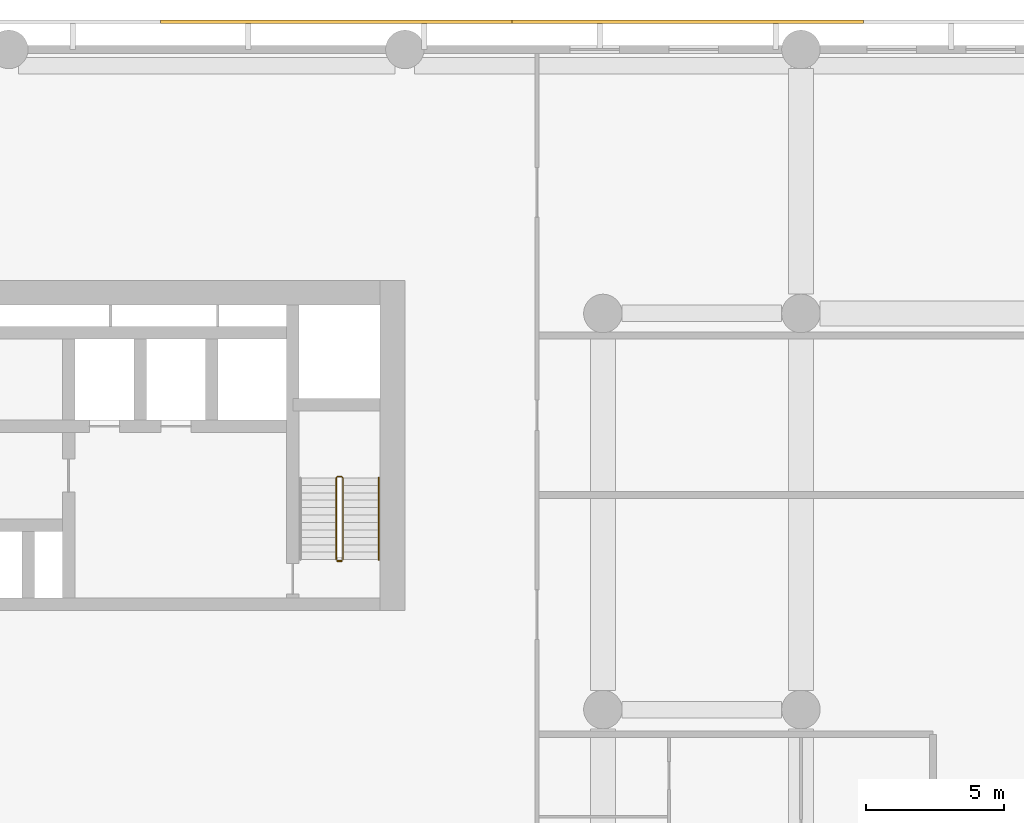
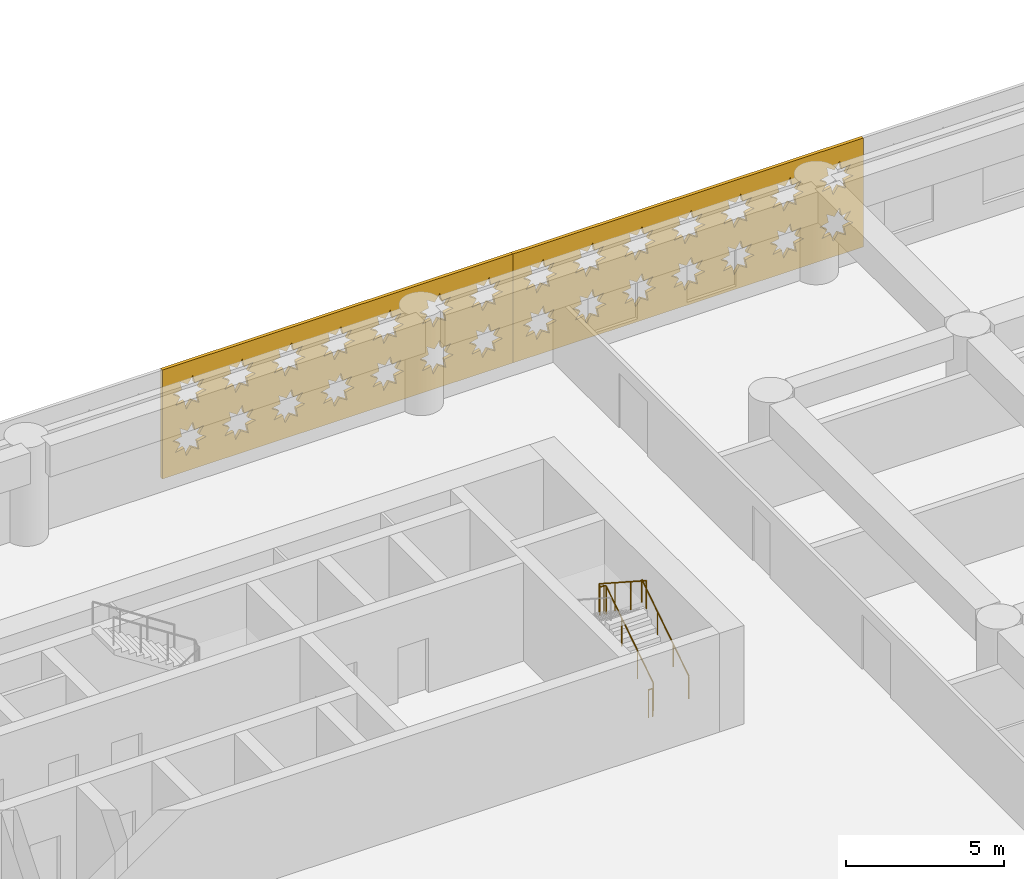
# One storey, part 22 of 23: 3 railings, 2 coverings.
"""IFC4 building model written with IfcOpenShell, lengths in metres."""

from ifc_helpers import new_model, si_unit, direction, frame, origin, origin_2d, place, context, subcontext, project, spatial, polyline, circle, outline, extrude, material, layer, layer_set, type_object, element, save


model = new_model("IFC4")

# Units and contexts
model_context = context("Model", 3, precision=1e-05, world=origin(), true_north=direction((0.0, 1.0)))
body_context = subcontext(model_context, "Body", "Model", "MODEL_VIEW")
ifc_project = project(units=[si_unit("LENGTHUNIT", "METRE"), si_unit("AREAUNIT", "SQUARE_METRE"), si_unit("VOLUMEUNIT", "CUBIC_METRE"), si_unit("PLANEANGLEUNIT", "RADIAN"), si_unit("MASSUNIT", "GRAM", prefix="KILO")], contexts=[model_context])

# Site, building, storey
site_placement = place(None, origin())
site = spatial("IfcSite", under=ifc_project, at=site_placement, CompositionType="ELEMENT")
building_placement = place(site_placement, origin())
building = spatial("IfcBuilding", under=site, at=building_placement, Name="Saffron Iwan Residences", CompositionType="ELEMENT")
storey_placement = place(building_placement, frame((0.0, 0.0, 17.39990234375)))
storey = spatial("IfcBuildingStorey", under=building, at=storey_placement, Name="L03", CompositionType="ELEMENT", Elevation=17.39990234375)

# Coverings
ifc_material_1 = material(Name="Terracotta screen, precast concrete C40/50", Category="masonry")
ifc_layer = layer(ifc_material_1, 0.1201171875)
ifc_layer_set = layer_set([ifc_layer], Name="Terracotta screen, precast concrete C40/50")
covering_type = type_object("IfcCoveringType", Name="PODIUM SCREEN GIRIH", PredefinedType="CLADDING", material=ifc_layer_set)
covering_1_placement = place(storey_placement, frame((88.672607421875, 87.35009765625, -0.39990234375), z_axis=(0.0, 1.0, 0.0), x_axis=(-1.0, 0.0, 0.0)))
element("IfcCovering", 1, at=covering_1_placement, inside=storey, type_object=covering_type, Name="SCREEN girih terracotta L03 F2.1", PredefinedType="CLADDING", context=body_context, shape_type="SweptSolid", body=[
    extrude(outline(polyline([(0.0, 0.0), (12.777587890625, 0.0), (12.777587890625, 4.199951171875), (0.0, 4.199951171875), (0.0, 0.0)]), holes=[polyline([(1.5966796875, 1.321044921875), (1.271484375, 1.388916015625), (1.333251953125, 1.715576171875), (1.05517578125, 1.533447265625), (0.867919921875, 1.80810546875), (0.7998046875, 1.482666015625), (0.47314453125, 1.54443359375), (0.6552734375, 1.266357421875), (0.380615234375, 1.0791015625), (0.7060546875, 1.010986328125), (0.644287109375, 0.6845703125), (0.92236328125, 0.866455078125), (1.109619140625, 0.591796875), (1.177490234375, 0.917236328125), (1.50439453125, 0.85546875), (1.322265625, 1.1337890625), (1.5966796875, 1.321044921875)]), polyline([(1.5966796875, 3.12109375), (1.271484375, 3.18896484375), (1.333251953125, 3.515380859375), (1.05517578125, 3.33349609375), (0.867919921875, 3.608154296875), (0.7998046875, 3.28271484375), (0.47314453125, 3.344482421875), (0.6552734375, 3.06640625), (0.380615234375, 2.87890625), (0.7060546875, 2.81103515625), (0.644287109375, 2.484619140625), (0.92236328125, 2.66650390625), (1.109619140625, 2.391845703125), (1.177490234375, 2.71728515625), (1.50439453125, 2.655517578125), (1.322265625, 2.93359375), (1.5966796875, 3.12109375)]), polyline([(3.396728515625, 1.321044921875), (3.0712890625, 1.388916015625), (3.13330078125, 1.715576171875), (2.85498046875, 1.533447265625), (2.667724609375, 1.80810546875), (2.599853515625, 1.482666015625), (2.273193359375, 1.54443359375), (2.455322265625, 1.266357421875), (2.1806640625, 1.0791015625), (2.506103515625, 1.010986328125), (2.4443359375, 0.6845703125), (2.722412109375, 0.866455078125), (2.90966796875, 0.591796875), (2.9775390625, 0.917236328125), (3.30419921875, 0.85546875), (3.122314453125, 1.1337890625), (3.396728515625, 1.321044921875)]), polyline([(3.396728515625, 3.12109375), (3.0712890625, 3.18896484375), (3.13330078125, 3.515380859375), (2.85498046875, 3.33349609375), (2.667724609375, 3.608154296875), (2.599853515625, 3.28271484375), (2.273193359375, 3.344482421875), (2.455322265625, 3.06640625), (2.1806640625, 2.87890625), (2.506103515625, 2.81103515625), (2.4443359375, 2.484619140625), (2.722412109375, 2.66650390625), (2.90966796875, 2.391845703125), (2.9775390625, 2.71728515625), (3.30419921875, 2.655517578125), (3.122314453125, 2.93359375), (3.396728515625, 3.12109375)]), polyline([(5.19677734375, 1.321044921875), (4.871337890625, 1.388916015625), (4.93310546875, 1.715576171875), (4.655029296875, 1.533447265625), (4.4677734375, 1.80810546875), (4.39990234375, 1.482666015625), (4.0732421875, 1.54443359375), (4.25537109375, 1.266357421875), (3.980712890625, 1.0791015625), (4.30615234375, 1.010986328125), (4.244384765625, 0.6845703125), (4.5224609375, 0.866455078125), (4.709716796875, 0.591796875), (4.777587890625, 0.917236328125), (5.104248046875, 0.85546875), (4.922119140625, 1.1337890625), (5.19677734375, 1.321044921875)]), polyline([(5.19677734375, 3.12109375), (4.871337890625, 3.18896484375), (4.93310546875, 3.515380859375), (4.655029296875, 3.33349609375), (4.4677734375, 3.608154296875), (4.39990234375, 3.28271484375), (4.0732421875, 3.344482421875), (4.25537109375, 3.06640625), (3.980712890625, 2.87890625), (4.30615234375, 2.81103515625), (4.244384765625, 2.484619140625), (4.5224609375, 2.66650390625), (4.709716796875, 2.391845703125), (4.777587890625, 2.71728515625), (5.104248046875, 2.655517578125), (4.922119140625, 2.93359375), (5.19677734375, 3.12109375)]), polyline([(6.996826171875, 1.321044921875), (6.67138671875, 1.388916015625), (6.733154296875, 1.715576171875), (6.455078125, 1.533447265625), (6.267822265625, 1.80810546875), (6.199951171875, 1.482666015625), (5.873291015625, 1.54443359375), (6.055419921875, 1.266357421875), (5.78076171875, 1.0791015625), (6.106201171875, 1.010986328125), (6.044189453125, 0.6845703125), (6.322509765625, 0.866455078125), (6.509765625, 0.591796875), (6.57763671875, 0.917236328125), (6.904296875, 0.85546875), (6.72216796875, 1.1337890625), (6.996826171875, 1.321044921875)]), polyline([(6.996826171875, 3.12109375), (6.67138671875, 3.18896484375), (6.733154296875, 3.515380859375), (6.455078125, 3.33349609375), (6.267822265625, 3.608154296875), (6.199951171875, 3.28271484375), (5.873291015625, 3.344482421875), (6.055419921875, 3.06640625), (5.78076171875, 2.87890625), (6.106201171875, 2.81103515625), (6.044189453125, 2.484619140625), (6.322509765625, 2.66650390625), (6.509765625, 2.391845703125), (6.57763671875, 2.71728515625), (6.904296875, 2.655517578125), (6.72216796875, 2.93359375), (6.996826171875, 3.12109375)]), polyline([(8.796875, 1.321044921875), (8.471435546875, 1.388916015625), (8.533203125, 1.715576171875), (8.255126953125, 1.533447265625), (8.06787109375, 1.80810546875), (8.0, 1.482666015625), (7.673095703125, 1.54443359375), (7.855224609375, 1.266357421875), (7.580810546875, 1.0791015625), (7.906005859375, 1.010986328125), (7.84423828125, 0.6845703125), (8.122314453125, 0.866455078125), (8.309814453125, 0.591796875), (8.377685546875, 0.917236328125), (8.704345703125, 0.85546875), (8.522216796875, 1.1337890625), (8.796875, 1.321044921875)]), polyline([(8.796875, 3.12109375), (8.471435546875, 3.18896484375), (8.533203125, 3.515380859375), (8.255126953125, 3.33349609375), (8.06787109375, 3.608154296875), (8.0, 3.28271484375), (7.673095703125, 3.344482421875), (7.855224609375, 3.06640625), (7.580810546875, 2.87890625), (7.906005859375, 2.81103515625), (7.84423828125, 2.484619140625), (8.122314453125, 2.66650390625), (8.309814453125, 2.391845703125), (8.377685546875, 2.71728515625), (8.704345703125, 2.655517578125), (8.522216796875, 2.93359375), (8.796875, 3.12109375)]), polyline([(10.5966796875, 1.321044921875), (10.271484375, 1.388916015625), (10.333251953125, 1.715576171875), (10.05517578125, 1.533447265625), (9.867919921875, 1.80810546875), (9.7998046875, 1.482666015625), (9.47314453125, 1.54443359375), (9.6552734375, 1.266357421875), (9.380615234375, 1.0791015625), (9.7060546875, 1.010986328125), (9.644287109375, 0.6845703125), (9.92236328125, 0.866455078125), (10.109619140625, 0.591796875), (10.177490234375, 0.917236328125), (10.50439453125, 0.85546875), (10.322265625, 1.1337890625), (10.5966796875, 1.321044921875)]), polyline([(10.5966796875, 3.12109375), (10.271484375, 3.18896484375), (10.333251953125, 3.515380859375), (10.05517578125, 3.33349609375), (9.867919921875, 3.608154296875), (9.7998046875, 3.28271484375), (9.47314453125, 3.344482421875), (9.6552734375, 3.06640625), (9.380615234375, 2.87890625), (9.7060546875, 2.81103515625), (9.644287109375, 2.484619140625), (9.92236328125, 2.66650390625), (10.109619140625, 2.391845703125), (10.177490234375, 2.71728515625), (10.50439453125, 2.655517578125), (10.322265625, 2.93359375), (10.5966796875, 3.12109375)]), polyline([(12.396728515625, 1.321044921875), (12.0712890625, 1.388916015625), (12.13330078125, 1.715576171875), (11.85498046875, 1.533447265625), (11.667724609375, 1.80810546875), (11.599853515625, 1.482666015625), (11.273193359375, 1.54443359375), (11.455322265625, 1.266357421875), (11.1806640625, 1.0791015625), (11.506103515625, 1.010986328125), (11.4443359375, 0.6845703125), (11.722412109375, 0.866455078125), (11.90966796875, 0.591796875), (11.9775390625, 0.917236328125), (12.30419921875, 0.85546875), (12.122314453125, 1.1337890625), (12.396728515625, 1.321044921875)]), polyline([(12.396728515625, 3.12109375), (12.0712890625, 3.18896484375), (12.13330078125, 3.515380859375), (11.85498046875, 3.33349609375), (11.667724609375, 3.608154296875), (11.599853515625, 3.28271484375), (11.273193359375, 3.344482421875), (11.455322265625, 3.06640625), (11.1806640625, 2.87890625), (11.506103515625, 2.81103515625), (11.4443359375, 2.484619140625), (11.722412109375, 2.66650390625), (11.90966796875, 2.391845703125), (11.9775390625, 2.71728515625), (12.30419921875, 2.655517578125), (12.122314453125, 2.93359375), (12.396728515625, 3.12109375)])]), origin(), (0.0, 0.0, 1.0), 0.119873046875),
])
covering_2_placement = place(storey_placement, frame((75.89501953125, 87.35009765625, -0.39990234375), z_axis=(0.0, 1.0, 0.0), x_axis=(-1.0, 0.0, 0.0)))
element("IfcCovering", 2, at=covering_2_placement, inside=storey, type_object=covering_type, Name="SCREEN girih terracotta L03 F2.2", PredefinedType="CLADDING", context=body_context, shape_type="SweptSolid", body=[
    extrude(outline(polyline([(0.0, 0.0), (12.777587890625, 0.0), (12.777587890625, 4.199951171875), (0.0, 4.199951171875), (0.0, 0.0)]), holes=[polyline([(1.5966796875, 1.321044921875), (1.271484375, 1.388916015625), (1.333251953125, 1.715576171875), (1.05517578125, 1.533447265625), (0.867919921875, 1.80810546875), (0.7998046875, 1.482666015625), (0.47314453125, 1.54443359375), (0.6552734375, 1.266357421875), (0.380615234375, 1.0791015625), (0.7060546875, 1.010986328125), (0.644287109375, 0.6845703125), (0.92236328125, 0.866455078125), (1.109619140625, 0.591796875), (1.177490234375, 0.917236328125), (1.50439453125, 0.85546875), (1.322265625, 1.1337890625), (1.5966796875, 1.321044921875)]), polyline([(1.5966796875, 3.12109375), (1.271484375, 3.18896484375), (1.333251953125, 3.515380859375), (1.05517578125, 3.33349609375), (0.867919921875, 3.608154296875), (0.7998046875, 3.28271484375), (0.47314453125, 3.344482421875), (0.6552734375, 3.06640625), (0.380615234375, 2.87890625), (0.7060546875, 2.81103515625), (0.644287109375, 2.484619140625), (0.92236328125, 2.66650390625), (1.109619140625, 2.391845703125), (1.177490234375, 2.71728515625), (1.50439453125, 2.655517578125), (1.322265625, 2.93359375), (1.5966796875, 3.12109375)]), polyline([(3.396728515625, 1.321044921875), (3.0712890625, 1.388916015625), (3.13330078125, 1.715576171875), (2.85498046875, 1.533447265625), (2.667724609375, 1.80810546875), (2.599853515625, 1.482666015625), (2.273193359375, 1.54443359375), (2.455322265625, 1.266357421875), (2.1806640625, 1.0791015625), (2.506103515625, 1.010986328125), (2.4443359375, 0.6845703125), (2.722412109375, 0.866455078125), (2.90966796875, 0.591796875), (2.9775390625, 0.917236328125), (3.30419921875, 0.85546875), (3.122314453125, 1.1337890625), (3.396728515625, 1.321044921875)]), polyline([(3.396728515625, 3.12109375), (3.0712890625, 3.18896484375), (3.13330078125, 3.515380859375), (2.85498046875, 3.33349609375), (2.667724609375, 3.608154296875), (2.599853515625, 3.28271484375), (2.273193359375, 3.344482421875), (2.455322265625, 3.06640625), (2.1806640625, 2.87890625), (2.506103515625, 2.81103515625), (2.4443359375, 2.484619140625), (2.722412109375, 2.66650390625), (2.90966796875, 2.391845703125), (2.9775390625, 2.71728515625), (3.30419921875, 2.655517578125), (3.122314453125, 2.93359375), (3.396728515625, 3.12109375)]), polyline([(5.19677734375, 1.321044921875), (4.871337890625, 1.388916015625), (4.93310546875, 1.715576171875), (4.655029296875, 1.533447265625), (4.4677734375, 1.80810546875), (4.39990234375, 1.482666015625), (4.0732421875, 1.54443359375), (4.25537109375, 1.266357421875), (3.980712890625, 1.0791015625), (4.30615234375, 1.010986328125), (4.244384765625, 0.6845703125), (4.5224609375, 0.866455078125), (4.709716796875, 0.591796875), (4.777587890625, 0.917236328125), (5.104248046875, 0.85546875), (4.922119140625, 1.1337890625), (5.19677734375, 1.321044921875)]), polyline([(5.19677734375, 3.12109375), (4.871337890625, 3.18896484375), (4.93310546875, 3.515380859375), (4.655029296875, 3.33349609375), (4.4677734375, 3.608154296875), (4.39990234375, 3.28271484375), (4.0732421875, 3.344482421875), (4.25537109375, 3.06640625), (3.980712890625, 2.87890625), (4.30615234375, 2.81103515625), (4.244384765625, 2.484619140625), (4.5224609375, 2.66650390625), (4.709716796875, 2.391845703125), (4.777587890625, 2.71728515625), (5.104248046875, 2.655517578125), (4.922119140625, 2.93359375), (5.19677734375, 3.12109375)]), polyline([(6.996826171875, 1.321044921875), (6.67138671875, 1.388916015625), (6.733154296875, 1.715576171875), (6.455078125, 1.533447265625), (6.267822265625, 1.80810546875), (6.199951171875, 1.482666015625), (5.873291015625, 1.54443359375), (6.055419921875, 1.266357421875), (5.78076171875, 1.0791015625), (6.106201171875, 1.010986328125), (6.044189453125, 0.6845703125), (6.322509765625, 0.866455078125), (6.509765625, 0.591796875), (6.57763671875, 0.917236328125), (6.904296875, 0.85546875), (6.72216796875, 1.1337890625), (6.996826171875, 1.321044921875)]), polyline([(6.996826171875, 3.12109375), (6.67138671875, 3.18896484375), (6.733154296875, 3.515380859375), (6.455078125, 3.33349609375), (6.267822265625, 3.608154296875), (6.199951171875, 3.28271484375), (5.873291015625, 3.344482421875), (6.055419921875, 3.06640625), (5.78076171875, 2.87890625), (6.106201171875, 2.81103515625), (6.044189453125, 2.484619140625), (6.322509765625, 2.66650390625), (6.509765625, 2.391845703125), (6.57763671875, 2.71728515625), (6.904296875, 2.655517578125), (6.72216796875, 2.93359375), (6.996826171875, 3.12109375)]), polyline([(8.796875, 1.321044921875), (8.471435546875, 1.388916015625), (8.533203125, 1.715576171875), (8.255126953125, 1.533447265625), (8.06787109375, 1.80810546875), (8.0, 1.482666015625), (7.673095703125, 1.54443359375), (7.855224609375, 1.266357421875), (7.580810546875, 1.0791015625), (7.906005859375, 1.010986328125), (7.84423828125, 0.6845703125), (8.122314453125, 0.866455078125), (8.309814453125, 0.591796875), (8.377685546875, 0.917236328125), (8.704345703125, 0.85546875), (8.522216796875, 1.1337890625), (8.796875, 1.321044921875)]), polyline([(8.796875, 3.12109375), (8.471435546875, 3.18896484375), (8.533203125, 3.515380859375), (8.255126953125, 3.33349609375), (8.06787109375, 3.608154296875), (8.0, 3.28271484375), (7.673095703125, 3.344482421875), (7.855224609375, 3.06640625), (7.580810546875, 2.87890625), (7.906005859375, 2.81103515625), (7.84423828125, 2.484619140625), (8.122314453125, 2.66650390625), (8.309814453125, 2.391845703125), (8.377685546875, 2.71728515625), (8.704345703125, 2.655517578125), (8.522216796875, 2.93359375), (8.796875, 3.12109375)]), polyline([(10.5966796875, 1.321044921875), (10.271484375, 1.388916015625), (10.333251953125, 1.715576171875), (10.05517578125, 1.533447265625), (9.867919921875, 1.80810546875), (9.7998046875, 1.482666015625), (9.47314453125, 1.54443359375), (9.6552734375, 1.266357421875), (9.380615234375, 1.0791015625), (9.7060546875, 1.010986328125), (9.644287109375, 0.6845703125), (9.92236328125, 0.866455078125), (10.109619140625, 0.591796875), (10.177490234375, 0.917236328125), (10.50439453125, 0.85546875), (10.322265625, 1.1337890625), (10.5966796875, 1.321044921875)]), polyline([(10.5966796875, 3.12109375), (10.271484375, 3.18896484375), (10.333251953125, 3.515380859375), (10.05517578125, 3.33349609375), (9.867919921875, 3.608154296875), (9.7998046875, 3.28271484375), (9.47314453125, 3.344482421875), (9.6552734375, 3.06640625), (9.380615234375, 2.87890625), (9.7060546875, 2.81103515625), (9.644287109375, 2.484619140625), (9.92236328125, 2.66650390625), (10.109619140625, 2.391845703125), (10.177490234375, 2.71728515625), (10.50439453125, 2.655517578125), (10.322265625, 2.93359375), (10.5966796875, 3.12109375)]), polyline([(12.396728515625, 1.321044921875), (12.0712890625, 1.388916015625), (12.13330078125, 1.715576171875), (11.85498046875, 1.533447265625), (11.667724609375, 1.80810546875), (11.599853515625, 1.482666015625), (11.273193359375, 1.54443359375), (11.455322265625, 1.266357421875), (11.1806640625, 1.0791015625), (11.506103515625, 1.010986328125), (11.4443359375, 0.6845703125), (11.722412109375, 0.866455078125), (11.90966796875, 0.591796875), (11.9775390625, 0.917236328125), (12.30419921875, 0.85546875), (12.122314453125, 1.1337890625), (12.396728515625, 1.321044921875)]), polyline([(12.396728515625, 3.12109375), (12.0712890625, 3.18896484375), (12.13330078125, 3.515380859375), (11.85498046875, 3.33349609375), (11.667724609375, 3.608154296875), (11.599853515625, 3.28271484375), (11.273193359375, 3.344482421875), (11.455322265625, 3.06640625), (11.1806640625, 2.87890625), (11.506103515625, 2.81103515625), (11.4443359375, 2.484619140625), (11.722412109375, 2.66650390625), (11.90966796875, 2.391845703125), (11.9775390625, 2.71728515625), (12.30419921875, 2.655517578125), (12.122314453125, 2.93359375), (12.396728515625, 3.12109375)])]), origin(), (0.0, 0.0, 1.0), 0.119873046875),
])

# Railings
ifc_material_2 = material(Name="Steel S355", Category="steel")
railing_type_1 = type_object("IfcRailingType", Name="Stair guard 1100", PredefinedType="GUARDRAIL", material=ifc_material_2)
railing_1_placement = place(storey_placement, frame((69.75, 67.85009765625, 0.175048828125)))
element("IfcRailing", 3, at=railing_1_placement, inside=storey, type_object=railing_type_1, Name="L03 ST-E stair guard 1", PredefinedType="GUARDRAIL", context=body_context, shape_type="SweptSolid", body=[
    extrude(circle(Radius=0.02392578125, at=origin_2d()), frame((0.0, 0.0, 1.076171875), z_axis=(0.0, 0.83914424107, 0.543908947048), x_axis=(-1.0, 0.0, 0.0)), (0.0, 0.0, 1.0), 3.539306640625),
    extrude(circle(Radius=0.02392578125, at=origin_2d()), frame((0.0, 2.969970703125, 3.0009765625), z_axis=(-0.707106781187, 0.707106781187, 0.0), x_axis=(-0.707106781187, -0.707106781187, 0.0)), (0.0, 0.0, 1.0), 0.07080078125),
    extrude(circle(Radius=0.02392578125, at=origin_2d()), frame((-0.050048828125, 3.02001953125, 3.0009765625), z_axis=(-1.0, 0.0, 0.0), x_axis=(0.0, -1.0, 0.0)), (0.0, 0.0, 1.0), 0.14990234375),
    extrude(circle(Radius=0.02392578125, at=origin_2d()), frame((-0.199951171875, 3.02001953125, 3.0009765625), z_axis=(-0.265065253269, -0.265065253269, 0.927081885822), x_axis=(0.707106781187, -0.707106781187, 0.0)), (0.0, 0.0, 1.0), 0.188720703125),
    extrude(circle(Radius=0.02392578125, at=origin_2d()), frame((-0.25, 2.969970703125, 3.17626953125), z_axis=(0.0, -0.83914424107, 0.543908947048), x_axis=(1.0, 0.0, 0.0)), (0.0, 0.0, 1.0), 3.539306640625),
    extrude(circle(Radius=0.02099609375, at=origin_2d()), origin(), (0.0, 0.0, 1.0), 1.052001953125),
    extrude(circle(Radius=0.02099609375, at=origin_2d()), frame((0.0, 0.989990234375, 0.6416015625)), (0.0, 0.0, 1.0), 1.052001953125),
    extrude(circle(Radius=0.02099609375, at=origin_2d()), frame((0.0, 1.97998046875, 1.283447265625)), (0.0, 0.0, 1.0), 1.052001953125),
    extrude(circle(Radius=0.02099609375, at=origin_2d()), frame((0.0, 2.969970703125, 1.925048828125)), (0.0, 0.0, 1.0), 1.052001953125),
    extrude(circle(Radius=0.02099609375, at=origin_2d()), frame((-0.050048828125, 3.02001953125, 1.925048828125)), (0.0, 0.0, 1.0), 1.052001953125),
    extrude(circle(Radius=0.02099609375, at=origin_2d()), frame((-0.199951171875, 3.02001953125, 1.925048828125)), (0.0, 0.0, 1.0), 1.052001953125),
    extrude(circle(Radius=0.02099609375, at=origin_2d()), frame((-0.25, 2.969970703125, 2.10009765625)), (0.0, 0.0, 1.0), 1.052001953125),
    extrude(circle(Radius=0.02099609375, at=origin_2d()), frame((-0.25, 1.97998046875, 2.74169921875)), (0.0, 0.0, 1.0), 1.052001953125),
    extrude(circle(Radius=0.02099609375, at=origin_2d()), frame((-0.25, 0.989990234375, 3.383544921875)), (0.0, 0.0, 1.0), 1.052001953125),
    extrude(circle(Radius=0.02099609375, at=origin_2d()), frame((-0.25, 0.0, 4.025146484375)), (0.0, 0.0, 1.0), 1.052001953125),
])
railing_2_placement = place(storey_placement, frame((69.699951171875, 67.800048828125, 0.0)))
element("IfcRailing", 4, at=railing_2_placement, inside=storey, type_object=railing_type_1, Name="L03 ST-E stair guard 2", PredefinedType="GUARDRAIL", context=body_context, shape_type="SweptSolid", body=[
    extrude(circle(Radius=0.02392578125, at=origin_2d()), frame((0.0, 0.0, 1.076171875), z_axis=(-1.0, 0.0, 0.0), x_axis=(0.0, -1.0, 0.0)), (0.0, 0.0, 1.0), 0.14990234375),
    extrude(circle(Radius=0.02099609375, at=origin_2d()), origin(), (0.0, 0.0, 1.0), 1.052001953125),
    extrude(circle(Radius=0.02099609375, at=origin_2d()), frame((-0.14990234375, 0.0, 0.0)), (0.0, 0.0, 1.0), 1.052001953125),
])
ifc_material_3 = material(Name="Stainless steel 316", Category="steel")
railing_type_2 = type_object("IfcRailingType", Name="Stair handrail 900", PredefinedType="HANDRAIL", material=ifc_material_3)
railing_3_placement = place(storey_placement, frame((71.050048828125, 67.85009765625, 0.175048828125)))
element("IfcRailing", 5, at=railing_3_placement, inside=storey, type_object=railing_type_2, Name="L03 ST-E stair handrail 1", PredefinedType="HANDRAIL", context=body_context, shape_type="SweptSolid", body=[
    extrude(circle(Radius=0.02392578125, at=origin_2d()), frame((0.0, 0.0, 0.8759765625), z_axis=(0.0, 0.83914424107, 0.543908947048), x_axis=(-1.0, 0.0, 0.0)), (0.0, 0.0, 1.0), 3.539306640625),
    extrude(circle(Radius=0.02099609375, at=origin_2d()), origin(), (0.0, 0.0, 1.0), 0.851806640625),
    extrude(circle(Radius=0.02099609375, at=origin_2d()), frame((0.0, 0.989990234375, 0.6416015625)), (0.0, 0.0, 1.0), 0.851806640625),
    extrude(circle(Radius=0.02099609375, at=origin_2d()), frame((0.0, 1.97998046875, 1.283447265625)), (0.0, 0.0, 1.0), 0.851806640625),
    extrude(circle(Radius=0.02099609375, at=origin_2d()), frame((0.0, 2.969970703125, 1.925048828125)), (0.0, 0.0, 1.0), 0.851806640625),
])

save(model, "model.ifc")
